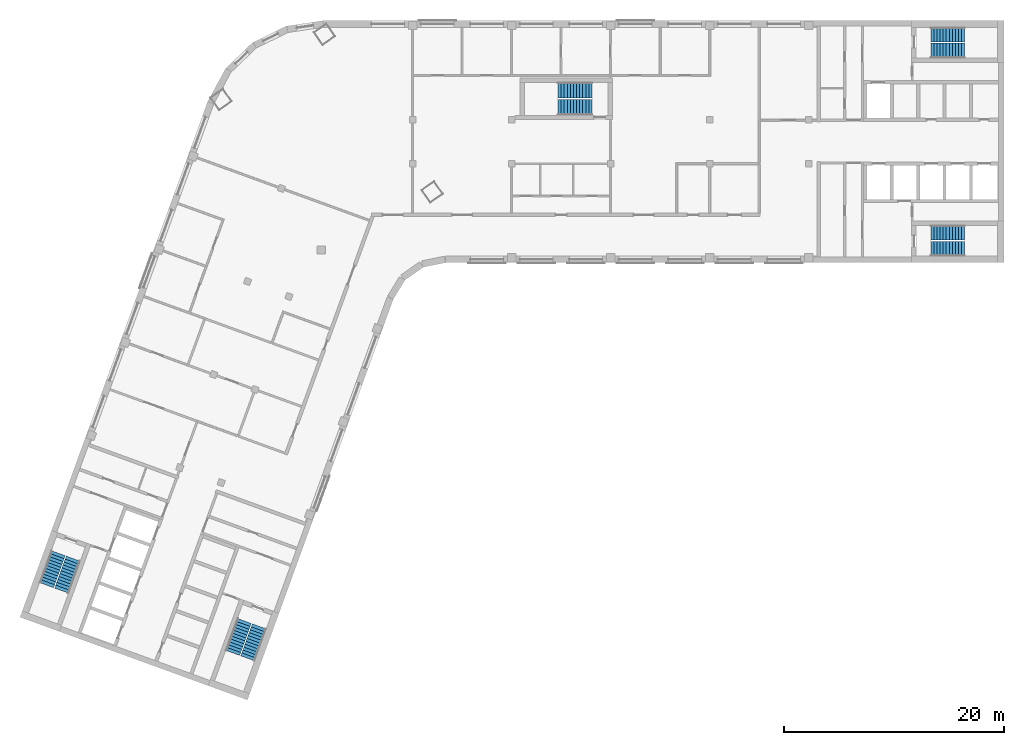
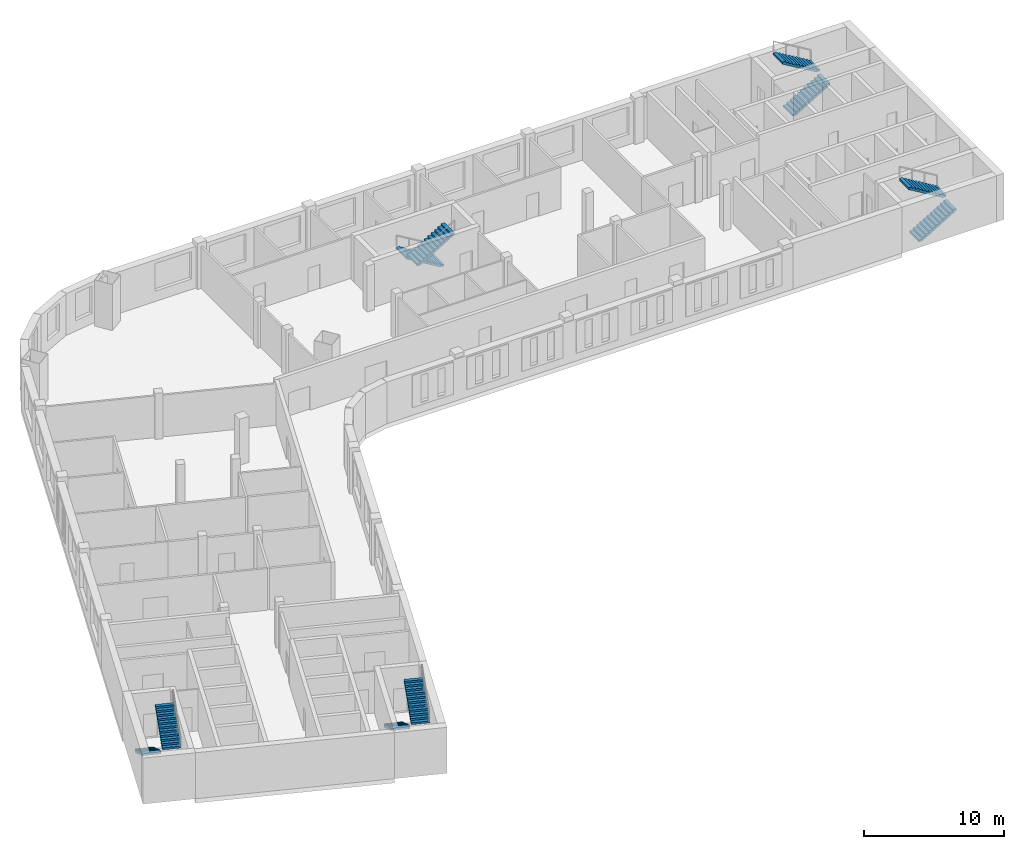
# One storey, part 7 of 8: 10 stair flights, 5 elements without a shape of their own.
"""IFC4 building model written with IfcOpenShell, lengths in metres."""

from ifc_helpers import new_model, si_unit, direction, frame, origin, place, context, subcontext, project, spatial, polyline, outline, extrude, material, type_object, element, aggregate, save


model = new_model("IFC4")

# Units and contexts
model_context = context("Model", 3, precision=1e-05, world=origin(), true_north=direction((0.0, 1.0)))
body_context = subcontext(model_context, "Body", "Model", "MODEL_VIEW")
ifc_project = project(units=[si_unit("LENGTHUNIT", "METRE"), si_unit("AREAUNIT", "SQUARE_METRE"), si_unit("VOLUMEUNIT", "CUBIC_METRE"), si_unit("PLANEANGLEUNIT", "RADIAN"), si_unit("MASSUNIT", "GRAM", prefix="KILO")], contexts=[model_context])

# Site, building, storey
site_placement = place(None, origin())
site = spatial("IfcSite", under=ifc_project, at=site_placement, CompositionType="ELEMENT")
building_placement = place(site_placement, origin())
building = spatial("IfcBuilding", under=site, at=building_placement, Name="Skarvind Civic Tower", CompositionType="ELEMENT")
storey_placement = place(building_placement, frame((0.0, 0.0, 208.0)))
storey = spatial("IfcBuildingStorey", under=building, at=storey_placement, Name="L49", CompositionType="ELEMENT", Elevation=208.0)

# Stair, stair flights
ifc_material = material(Name="Concrete C40/50", Category="concrete")
stair_type_1 = type_object("IfcStairType", Name="Exit stair 1450, half-turn, concrete", PredefinedType="HALF_TURN_STAIR", material=ifc_material)
stair_1_placement = place(storey_placement, origin())
stair_1 = element("IfcStair", 1, at=stair_1_placement, inside=storey, type_object=stair_type_1, Name="Exit stair CM", PredefinedType="HALF_TURN_STAIR")
stair_flight_type_1 = type_object("IfcStairFlightType", Name="Stair flight 1450, concrete", PredefinedType="STRAIGHT", material=ifc_material)
stair_flight_1_placement = place(storey_placement, frame((70.550048828125, 132.675048828125, 0.0), z_axis=(0.0, 0.0, 1.0), x_axis=(-1.0, 0.0, 0.0)))
stair_flight_1 = element("IfcStairFlight", 2, at=stair_flight_1_placement, type_object=stair_flight_type_1, Name="ST-CM flight 1", NumberOfRisers=12, NumberOfTreads=11, PredefinedType="STRAIGHT", RiserHeight=0.166666667, TreadLength=0.28, context=body_context, shape_type="SweptSolid", body=[
    extrude(outline(polyline([(0.0, 0.0), (0.0, 0.166748046875), (0.280029296875, 0.166748046875), (0.280029296875, 0.333251953125), (0.56005859375, 0.333251953125), (0.56005859375, 0.5), (0.840087890625, 0.5), (0.840087890625, 0.666748046875), (1.1201171875, 0.666748046875), (1.1201171875, 0.833251953125), (1.39990234375, 0.833251953125), (1.39990234375, 1.0), (1.679931640625, 1.0), (1.679931640625, 1.166748046875), (1.9599609375, 1.166748046875), (1.9599609375, 1.333251953125), (2.239990234375, 1.333251953125), (2.239990234375, 1.5), (2.52001953125, 1.5), (2.52001953125, 1.666748046875), (2.800048828125, 1.666748046875), (2.800048828125, 1.833251953125), (3.080078125, 1.833251953125), (3.080078125, 2.0), (3.080078125, 1.658935546875), (0.29296875, 0.0), (0.0, 0.0)])), frame((0.0, 0.72509765625, 0.0), z_axis=(0.0, -1.0, 0.0), x_axis=(1.0, 0.0, 0.0)), (0.0, 0.0, 1.0), 1.449951171875),
])
stair_flight_2_placement = place(storey_placement, frame((67.469970703125, 131.125, 2.0), z_axis=(0.0, 0.0, 1.0), x_axis=(1.0, 0.0, 0.0)))
stair_flight_2 = element("IfcStairFlight", 3, at=stair_flight_2_placement, type_object=stair_flight_type_1, Name="ST-CM flight 2", NumberOfRisers=12, NumberOfTreads=11, PredefinedType="STRAIGHT", RiserHeight=0.166666667, TreadLength=0.28, context=body_context, shape_type="SweptSolid", body=[
    extrude(outline(polyline([(0.0, 0.0), (0.0, 0.166748046875), (0.280029296875, 0.166748046875), (0.280029296875, 0.333251953125), (0.56005859375, 0.333251953125), (0.56005859375, 0.5), (0.840087890625, 0.5), (0.840087890625, 0.666748046875), (1.1201171875, 0.666748046875), (1.1201171875, 0.833251953125), (1.39990234375, 0.833251953125), (1.39990234375, 1.0), (1.679931640625, 1.0), (1.679931640625, 1.166748046875), (1.9599609375, 1.166748046875), (1.9599609375, 1.333251953125), (2.239990234375, 1.333251953125), (2.239990234375, 1.5), (2.52001953125, 1.5), (2.52001953125, 1.666748046875), (2.800048828125, 1.666748046875), (2.800048828125, 1.833251953125), (3.080078125, 1.833251953125), (3.080078125, 2.0), (3.080078125, 1.658935546875), (0.29296875, 0.0), (0.0, 0.0)])), frame((0.0, 0.72509765625, 0.0), z_axis=(0.0, -1.0, 0.0), x_axis=(1.0, 0.0, 0.0)), (0.0, 0.0, 1.0), 1.449951171875),
])
aggregate(stair_1, [stair_flight_1, stair_flight_2])

stair_type_2 = type_object("IfcStairType", Name="Exit stair, half-turn, concrete", PredefinedType="HALF_TURN_STAIR", material=ifc_material)
stair_2_placement = place(storey_placement, origin())
stair_2 = element("IfcStair", 4, at=stair_2_placement, inside=storey, type_object=stair_type_2, Name="Exit stair C1S", PredefinedType="HALF_TURN_STAIR")
stair_flight_type_2 = type_object("IfcStairFlightType", Name="Stair flight, concrete", PredefinedType="STRAIGHT", material=ifc_material)
stair_flight_3_placement = place(storey_placement, frame((101.35009765625, 136.27490234375, 0.0), z_axis=(0.0, 0.0, 1.0), x_axis=(1.0, 0.0, 0.0)))
stair_flight_3 = element("IfcStairFlight", 5, at=stair_flight_3_placement, type_object=stair_flight_type_2, Name="ST-C1S flight 1", NumberOfRisers=12, NumberOfTreads=11, PredefinedType="STRAIGHT", RiserHeight=0.166666667, TreadLength=0.28, context=body_context, shape_type="SweptSolid", body=[
    extrude(outline(polyline([(0.0, 0.0), (0.0, 0.166748046875), (0.280029296875, 0.166748046875), (0.280029296875, 0.333251953125), (0.56005859375, 0.333251953125), (0.56005859375, 0.5), (0.840087890625, 0.5), (0.840087890625, 0.666748046875), (1.1201171875, 0.666748046875), (1.1201171875, 0.833251953125), (1.39990234375, 0.833251953125), (1.39990234375, 1.0), (1.679931640625, 1.0), (1.679931640625, 1.166748046875), (1.9599609375, 1.166748046875), (1.9599609375, 1.333251953125), (2.239990234375, 1.333251953125), (2.239990234375, 1.5), (2.52001953125, 1.5), (2.52001953125, 1.666748046875), (2.800048828125, 1.666748046875), (2.800048828125, 1.833251953125), (3.080078125, 1.833251953125), (3.080078125, 2.0), (3.080078125, 1.658935546875), (0.29296875, 0.0), (0.0, 0.0)])), frame((0.0, 0.675048828125, 0.0), z_axis=(0.0, -1.0, 0.0), x_axis=(1.0, 0.0, 0.0)), (0.0, 0.0, 1.0), 1.35009765625),
])
stair_flight_4_placement = place(storey_placement, frame((104.429931640625, 137.72509765625, 2.0), z_axis=(0.0, 0.0, 1.0), x_axis=(-1.0, 0.0, 0.0)))
stair_flight_4 = element("IfcStairFlight", 6, at=stair_flight_4_placement, type_object=stair_flight_type_2, Name="ST-C1S flight 2", NumberOfRisers=12, NumberOfTreads=11, PredefinedType="STRAIGHT", RiserHeight=0.166666667, TreadLength=0.28, context=body_context, shape_type="SweptSolid", body=[
    extrude(outline(polyline([(0.0, 0.0), (0.0, 0.166748046875), (0.280029296875, 0.166748046875), (0.280029296875, 0.333251953125), (0.56005859375, 0.333251953125), (0.56005859375, 0.5), (0.840087890625, 0.5), (0.840087890625, 0.666748046875), (1.1201171875, 0.666748046875), (1.1201171875, 0.833251953125), (1.39990234375, 0.833251953125), (1.39990234375, 1.0), (1.679931640625, 1.0), (1.679931640625, 1.166748046875), (1.9599609375, 1.166748046875), (1.9599609375, 1.333251953125), (2.239990234375, 1.333251953125), (2.239990234375, 1.5), (2.52001953125, 1.5), (2.52001953125, 1.666748046875), (2.800048828125, 1.666748046875), (2.800048828125, 1.833251953125), (3.080078125, 1.833251953125), (3.080078125, 2.0), (3.080078125, 1.658935546875), (0.29296875, 0.0), (0.0, 0.0)])), frame((0.0, 0.675048828125, 0.0), z_axis=(0.0, -1.0, 0.0), x_axis=(1.0, 0.0, 0.0)), (0.0, 0.0, 1.0), 1.35009765625),
])
aggregate(stair_2, [stair_flight_3, stair_flight_4])

stair_3_placement = place(storey_placement, origin())
stair_3 = element("IfcStair", 7, at=stair_3_placement, inside=storey, type_object=stair_type_2, Name="Exit stair C1N", PredefinedType="HALF_TURN_STAIR")
stair_flight_5_placement = place(storey_placement, frame((101.35009765625, 118.27490234375, 0.0), z_axis=(0.0, 0.0, 1.0), x_axis=(1.0, 0.0, 0.0)))
stair_flight_5 = element("IfcStairFlight", 8, at=stair_flight_5_placement, type_object=stair_flight_type_2, Name="ST-C1N flight 1", NumberOfRisers=12, NumberOfTreads=11, PredefinedType="STRAIGHT", RiserHeight=0.166666667, TreadLength=0.28, context=body_context, shape_type="SweptSolid", body=[
    extrude(outline(polyline([(0.0, 0.0), (0.0, 0.166748046875), (0.280029296875, 0.166748046875), (0.280029296875, 0.333251953125), (0.56005859375, 0.333251953125), (0.56005859375, 0.5), (0.840087890625, 0.5), (0.840087890625, 0.666748046875), (1.1201171875, 0.666748046875), (1.1201171875, 0.833251953125), (1.39990234375, 0.833251953125), (1.39990234375, 1.0), (1.679931640625, 1.0), (1.679931640625, 1.166748046875), (1.9599609375, 1.166748046875), (1.9599609375, 1.333251953125), (2.239990234375, 1.333251953125), (2.239990234375, 1.5), (2.52001953125, 1.5), (2.52001953125, 1.666748046875), (2.800048828125, 1.666748046875), (2.800048828125, 1.833251953125), (3.080078125, 1.833251953125), (3.080078125, 2.0), (3.080078125, 1.658935546875), (0.29296875, 0.0), (0.0, 0.0)])), frame((0.0, 0.675048828125, 0.0), z_axis=(0.0, -1.0, 0.0), x_axis=(1.0, 0.0, 0.0)), (0.0, 0.0, 1.0), 1.35009765625),
])
stair_flight_6_placement = place(storey_placement, frame((104.429931640625, 119.72509765625, 2.0), z_axis=(0.0, 0.0, 1.0), x_axis=(-1.0, 0.0, 0.0)))
stair_flight_6 = element("IfcStairFlight", 9, at=stair_flight_6_placement, type_object=stair_flight_type_2, Name="ST-C1N flight 2", NumberOfRisers=12, NumberOfTreads=11, PredefinedType="STRAIGHT", RiserHeight=0.166666667, TreadLength=0.28, context=body_context, shape_type="SweptSolid", body=[
    extrude(outline(polyline([(0.0, 0.0), (0.0, 0.166748046875), (0.280029296875, 0.166748046875), (0.280029296875, 0.333251953125), (0.56005859375, 0.333251953125), (0.56005859375, 0.5), (0.840087890625, 0.5), (0.840087890625, 0.666748046875), (1.1201171875, 0.666748046875), (1.1201171875, 0.833251953125), (1.39990234375, 0.833251953125), (1.39990234375, 1.0), (1.679931640625, 1.0), (1.679931640625, 1.166748046875), (1.9599609375, 1.166748046875), (1.9599609375, 1.333251953125), (2.239990234375, 1.333251953125), (2.239990234375, 1.5), (2.52001953125, 1.5), (2.52001953125, 1.666748046875), (2.800048828125, 1.666748046875), (2.800048828125, 1.833251953125), (3.080078125, 1.833251953125), (3.080078125, 2.0), (3.080078125, 1.658935546875), (0.29296875, 0.0), (0.0, 0.0)])), frame((0.0, 0.675048828125, 0.0), z_axis=(0.0, -1.0, 0.0), x_axis=(1.0, 0.0, 0.0)), (0.0, 0.0, 1.0), 1.35009765625),
])
aggregate(stair_3, [stair_flight_5, stair_flight_6])

stair_4_placement = place(storey_placement, origin())
stair_4 = element("IfcStair", 10, at=stair_4_placement, inside=storey, type_object=stair_type_2, Name="Exit stair C2S", PredefinedType="HALF_TURN_STAIR")
stair_flight_7_placement = place(storey_placement, frame((38.949462890625, 84.43408203125, 0.0), z_axis=(0.0, 0.0, 1.0), x_axis=(-0.342020143326, -0.939692620786, 0.0)))
stair_flight_7 = element("IfcStairFlight", 11, at=stair_flight_7_placement, type_object=stair_flight_type_2, Name="ST-C2S flight 1", NumberOfRisers=12, NumberOfTreads=11, PredefinedType="STRAIGHT", RiserHeight=0.166666667, TreadLength=0.28, context=body_context, shape_type="SweptSolid", body=[
    extrude(outline(polyline([(0.0, 0.0), (0.0, 0.166748046875), (0.280029296875, 0.166748046875), (0.280029296875, 0.333251953125), (0.56005859375, 0.333251953125), (0.56005859375, 0.5), (0.840087890625, 0.5), (0.840087890625, 0.666748046875), (1.1201171875, 0.666748046875), (1.1201171875, 0.833251953125), (1.39990234375, 0.833251953125), (1.39990234375, 1.0), (1.679931640625, 1.0), (1.679931640625, 1.166748046875), (1.9599609375, 1.166748046875), (1.9599609375, 1.333251953125), (2.239990234375, 1.333251953125), (2.239990234375, 1.5), (2.52001953125, 1.5), (2.52001953125, 1.666748046875), (2.800048828125, 1.666748046875), (2.800048828125, 1.833251953125), (3.080078125, 1.833251953125), (3.080078125, 2.0), (3.080078125, 1.658935546875), (0.29296875, 0.0), (0.0, 0.0)])), frame((0.0, 0.675048828125, 0.0), z_axis=(0.0, -1.0, 0.0), x_axis=(1.0, 0.0, 0.0)), (0.0, 0.0, 1.0), 1.35009765625),
])
stair_flight_8_placement = place(storey_placement, frame((39.258544921875, 81.0439453125, 2.0), z_axis=(0.0, 0.0, 1.0), x_axis=(0.342020143326, 0.939692620786, 0.0)))
stair_flight_8 = element("IfcStairFlight", 12, at=stair_flight_8_placement, type_object=stair_flight_type_2, Name="ST-C2S flight 2", NumberOfRisers=12, NumberOfTreads=11, PredefinedType="STRAIGHT", RiserHeight=0.166666667, TreadLength=0.28, context=body_context, shape_type="SweptSolid", body=[
    extrude(outline(polyline([(0.0, 0.0), (0.0, 0.166748046875), (0.280029296875, 0.166748046875), (0.280029296875, 0.333251953125), (0.56005859375, 0.333251953125), (0.56005859375, 0.5), (0.840087890625, 0.5), (0.840087890625, 0.666748046875), (1.1201171875, 0.666748046875), (1.1201171875, 0.833251953125), (1.39990234375, 0.833251953125), (1.39990234375, 1.0), (1.679931640625, 1.0), (1.679931640625, 1.166748046875), (1.9599609375, 1.166748046875), (1.9599609375, 1.333251953125), (2.239990234375, 1.333251953125), (2.239990234375, 1.5), (2.52001953125, 1.5), (2.52001953125, 1.666748046875), (2.800048828125, 1.666748046875), (2.800048828125, 1.833251953125), (3.080078125, 1.833251953125), (3.080078125, 2.0), (3.080078125, 1.658935546875), (0.29296875, 0.0), (0.0, 0.0)])), frame((0.0, 0.675048828125, 0.0), z_axis=(0.0, -1.0, 0.0), x_axis=(1.0, 0.0, 0.0)), (0.0, 0.0, 1.0), 1.35009765625),
])
aggregate(stair_4, [stair_flight_7, stair_flight_8])

stair_5_placement = place(storey_placement, origin())
stair_5 = element("IfcStair", 13, at=stair_5_placement, inside=storey, type_object=stair_type_2, Name="Exit stair C2N", PredefinedType="HALF_TURN_STAIR")
stair_flight_9_placement = place(storey_placement, frame((22.034912109375, 90.590576171875, 0.0), z_axis=(0.0, 0.0, 1.0), x_axis=(-0.342020143326, -0.939692620786, 0.0)))
stair_flight_9 = element("IfcStairFlight", 14, at=stair_flight_9_placement, type_object=stair_flight_type_2, Name="ST-C2N flight 1", NumberOfRisers=12, NumberOfTreads=11, PredefinedType="STRAIGHT", RiserHeight=0.166666667, TreadLength=0.28, context=body_context, shape_type="SweptSolid", body=[
    extrude(outline(polyline([(0.0, 0.0), (0.0, 0.166748046875), (0.280029296875, 0.166748046875), (0.280029296875, 0.333251953125), (0.56005859375, 0.333251953125), (0.56005859375, 0.5), (0.840087890625, 0.5), (0.840087890625, 0.666748046875), (1.1201171875, 0.666748046875), (1.1201171875, 0.833251953125), (1.39990234375, 0.833251953125), (1.39990234375, 1.0), (1.679931640625, 1.0), (1.679931640625, 1.166748046875), (1.9599609375, 1.166748046875), (1.9599609375, 1.333251953125), (2.239990234375, 1.333251953125), (2.239990234375, 1.5), (2.52001953125, 1.5), (2.52001953125, 1.666748046875), (2.800048828125, 1.666748046875), (2.800048828125, 1.833251953125), (3.080078125, 1.833251953125), (3.080078125, 2.0), (3.080078125, 1.658935546875), (0.29296875, 0.0), (0.0, 0.0)])), frame((0.0, 0.675048828125, 0.0), z_axis=(0.0, -1.0, 0.0), x_axis=(1.0, 0.0, 0.0)), (0.0, 0.0, 1.0), 1.35009765625),
])
stair_flight_10_placement = place(storey_placement, frame((22.343994140625, 87.2001953125, 2.0), z_axis=(0.0, 0.0, 1.0), x_axis=(0.342020143326, 0.939692620786, 0.0)))
stair_flight_10 = element("IfcStairFlight", 15, at=stair_flight_10_placement, type_object=stair_flight_type_2, Name="ST-C2N flight 2", NumberOfRisers=12, NumberOfTreads=11, PredefinedType="STRAIGHT", RiserHeight=0.166666667, TreadLength=0.28, context=body_context, shape_type="SweptSolid", body=[
    extrude(outline(polyline([(0.0, 0.0), (0.0, 0.166748046875), (0.280029296875, 0.166748046875), (0.280029296875, 0.333251953125), (0.56005859375, 0.333251953125), (0.56005859375, 0.5), (0.840087890625, 0.5), (0.840087890625, 0.666748046875), (1.1201171875, 0.666748046875), (1.1201171875, 0.833251953125), (1.39990234375, 0.833251953125), (1.39990234375, 1.0), (1.679931640625, 1.0), (1.679931640625, 1.166748046875), (1.9599609375, 1.166748046875), (1.9599609375, 1.333251953125), (2.239990234375, 1.333251953125), (2.239990234375, 1.5), (2.52001953125, 1.5), (2.52001953125, 1.666748046875), (2.800048828125, 1.666748046875), (2.800048828125, 1.833251953125), (3.080078125, 1.833251953125), (3.080078125, 2.0), (3.080078125, 1.658935546875), (0.29296875, 0.0), (0.0, 0.0)])), frame((0.0, 0.675048828125, 0.0), z_axis=(0.0, -1.0, 0.0), x_axis=(1.0, 0.0, 0.0)), (0.0, 0.0, 1.0), 1.35009765625),
])
aggregate(stair_5, [stair_flight_9, stair_flight_10])

save(model, "model.ifc")
